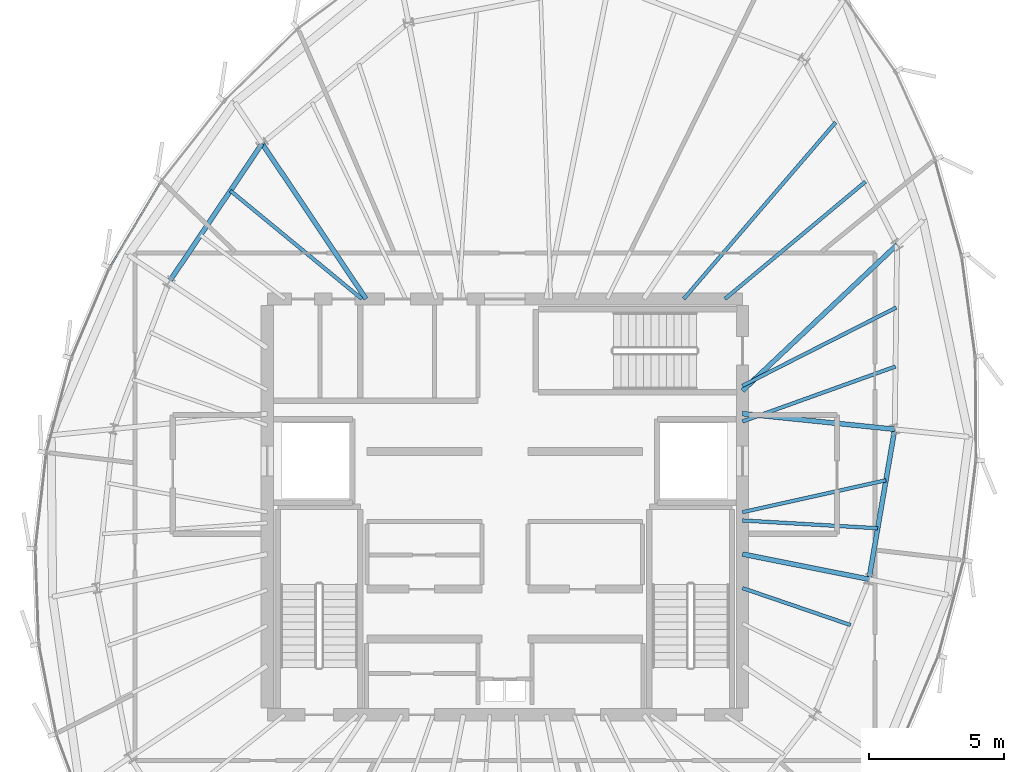
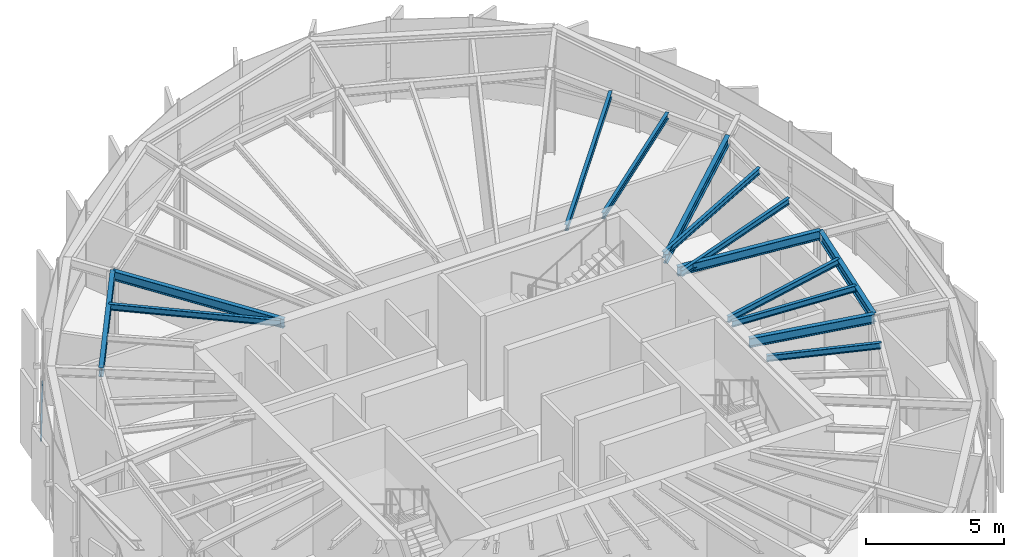
# One storey, part 11 of 26: 14 beams, 1 member, 1 element without a shape of its own.
"""IFC4 building model written with IfcOpenShell, lengths in metres."""

from ifc_helpers import new_model, si_unit, direction, frame, origin, origin_2d, place, context, subcontext, project, spatial, hollow_rectangle, i_section, extrude, source, transform, mapped, material, layer, layer_set, material_profile, profile_set, type_object, element, aggregate, save


model = new_model("IFC4")

# Units and contexts
model_context = context("Model", 3, precision=1e-05, world=origin(), true_north=direction((0.0, 1.0)))
body_context = subcontext(model_context, "Body", "Model", "MODEL_VIEW")
ifc_project = project(units=[si_unit("LENGTHUNIT", "METRE"), si_unit("AREAUNIT", "SQUARE_METRE"), si_unit("VOLUMEUNIT", "CUBIC_METRE"), si_unit("PLANEANGLEUNIT", "RADIAN"), si_unit("MASSUNIT", "GRAM", prefix="KILO"), si_unit("THERMODYNAMICTEMPERATUREUNIT", "KELVIN")], contexts=[model_context])

# Site, building, storey
site_placement = place(None, origin())
site = spatial("IfcSite", under=ifc_project, at=site_placement, CompositionType="ELEMENT")
building_placement = place(site_placement, origin())
building = spatial("IfcBuilding", under=site, at=building_placement, Name="Kethvar Cultural Tower", CompositionType="ELEMENT")
storey_placement = place(building_placement, frame((0.0, 0.0, 320.300048828125)))
storey = spatial("IfcBuildingStorey", under=building, at=storey_placement, Name="L85", CompositionType="ELEMENT", Elevation=320.300048828125)

# Beams
ifc_material_1 = material(Name="Steel S355J2", Category="steel")
ifc_material_profile_1 = material_profile(ifc_material_1, i_section(OverallWidth=0.135009765625, OverallDepth=0.27001953125, WebThickness=0.006591796875, FlangeThickness=0.01025390625, FilletRadius=0.014892578125, at=origin_2d()), Name="Steel S355J2 — IPE270")
ifc_profile_set_1 = profile_set([ifc_material_profile_1], Name="Steel S355J2 — IPE270")
beam_type_1 = type_object("IfcBeamType", Name="BM-J270", PredefinedType="JOIST", material=ifc_profile_set_1)
shared_shape_1 = source(origin(), body_context, "Body", "SweptSolid", [
    extrude(i_section(OverallWidth=0.135009765625, OverallDepth=0.27001953125, WebThickness=0.006591796875, FlangeThickness=0.01025390625, FilletRadius=0.014892578125, at=origin_2d()), origin(), (0.0, 0.0, 1.0), 6.021240234375),
])
beam_1_placement = place(storey_placement, frame((55.60009765625, 30.960205078125, 3.597900390625), z_axis=(0.94114970072, 0.337990001086, 0.0), x_axis=(-0.337990001086, 0.94114970072, 0.0)))
element("IfcBeam", 1, at=beam_1_placement, inside=storey, type_object=beam_type_1, Name="L85 Composite Floor Joist J-01A", PredefinedType="JOIST", context=body_context, shape_type="MappedRepresentation", body=[
    mapped(shared_shape_1, transform((0.0, 0.0, 0.0), scale=1.0)),
])
shared_shape_2 = source(origin(), body_context, "Body", "SweptSolid", [
    extrude(i_section(OverallWidth=0.135009765625, OverallDepth=0.27001953125, WebThickness=0.006591796875, FlangeThickness=0.01025390625, FilletRadius=0.014892578125, at=origin_2d()), origin(), (0.0, 0.0, 1.0), 6.3916015625),
])
beam_2_placement = place(storey_placement, frame((55.60009765625, 32.281494140625, 3.597900390625), z_axis=(0.891094874615, 0.453817060538, 0.0), x_axis=(-0.453817060538, 0.891094874615, 0.0)))
element("IfcBeam", 2, at=beam_2_placement, inside=storey, type_object=beam_type_1, Name="L85 Composite Floor Joist J-01B", PredefinedType="JOIST", context=body_context, shape_type="MappedRepresentation", body=[
    mapped(shared_shape_2, transform((0.0, 0.0, 0.0), scale=1.0)),
])
shared_shape_3 = source(origin(), body_context, "Body", "SweptSolid", [
    extrude(i_section(OverallWidth=0.135009765625, OverallDepth=0.27001953125, WebThickness=0.006591796875, FlangeThickness=0.01025390625, FilletRadius=0.014892578125, at=origin_2d()), origin(), (0.0, 0.0, 1.0), 6.776123046875),
])
beam_3_placement = place(storey_placement, frame((54.949951171875, 35.5, 3.597900390625), z_axis=(0.767801747857, 0.6406875026, 0.0), x_axis=(-0.6406875026, 0.767801747857, 0.0)))
element("IfcBeam", 3, at=beam_3_placement, inside=storey, type_object=beam_type_1, Name="L85 Composite Floor Joist J-02A", PredefinedType="JOIST", context=body_context, shape_type="MappedRepresentation", body=[
    mapped(shared_shape_3, transform((0.0, 0.0, 0.0), scale=1.0)),
])
shared_shape_4 = source(origin(), body_context, "Body", "SweptSolid", [
    extrude(i_section(OverallWidth=0.135009765625, OverallDepth=0.27001953125, WebThickness=0.006591796875, FlangeThickness=0.01025390625, FilletRadius=0.014892578125, at=origin_2d()), origin(), (0.0, 0.0, 1.0), 8.6259765625),
])
beam_4_placement = place(storey_placement, frame((53.42333984375, 35.5, 3.597900390625), z_axis=(0.65210499689, 0.758128665222, 0.0), x_axis=(-0.758128665222, 0.65210499689, 0.0)))
element("IfcBeam", 4, at=beam_4_placement, inside=storey, type_object=beam_type_1, Name="L85 Composite Floor Joist J-02B", PredefinedType="JOIST", context=body_context, shape_type="MappedRepresentation", body=[
    mapped(shared_shape_4, transform((0.0, 0.0, 0.0), scale=1.0)),
])
shared_shape_5 = source(origin(), body_context, "Body", "SweptSolid", [
    extrude(i_section(OverallWidth=0.135009765625, OverallDepth=0.27001953125, WebThickness=0.006591796875, FlangeThickness=0.01025390625, FilletRadius=0.014892578125, at=origin_2d()), origin(), (0.0, 0.0, 1.0), 6.302978515625),
])
beam_5_placement = place(storey_placement, frame((41.5, 35.5, 3.597900390625), z_axis=(-0.771828477148, 0.635830796567, 0.0), x_axis=(-0.635830796567, -0.771828477148, 0.0)))
element("IfcBeam", 5, at=beam_5_placement, inside=storey, type_object=beam_type_1, Name="L85 Composite Floor Joist J-06A", PredefinedType="JOIST", context=body_context, shape_type="MappedRepresentation", body=[
    mapped(shared_shape_5, transform((0.0, 0.0, 0.0), scale=1.0)),
])
shared_shape_6 = source(origin(), body_context, "Body", "SweptSolid", [
    extrude(i_section(OverallWidth=0.135009765625, OverallDepth=0.27001953125, WebThickness=0.006591796875, FlangeThickness=0.01025390625, FilletRadius=0.014892578125, at=origin_2d()), origin(), (0.0, 0.0, 1.0), 4.232421875),
])
beam_6_placement = place(storey_placement, frame((55.60009765625, 24.7900390625, 3.597900390625), z_axis=(0.946173747357, -0.323659141402, 0.0), x_axis=(0.323659141402, 0.946173747357, 0.0)))
element("IfcBeam", 6, at=beam_6_placement, inside=storey, type_object=beam_type_1, Name="L85 Composite Floor Joist J-15B", PredefinedType="JOIST", context=body_context, shape_type="MappedRepresentation", body=[
    mapped(shared_shape_6, transform((0.0, 0.0, 0.0), scale=1.0)),
])
shared_shape_7 = source(origin(), body_context, "Body", "SweptSolid", [
    extrude(i_section(OverallWidth=0.135009765625, OverallDepth=0.27001953125, WebThickness=0.006591796875, FlangeThickness=0.01025390625, FilletRadius=0.014892578125, at=origin_2d()), origin(), (0.0, 0.0, 1.0), 5.01611328125),
])
beam_7_placement = place(storey_placement, frame((55.60009765625, 27.294189453125, 3.597900390625), z_axis=(0.998352190078, -0.057383835418, 0.0), x_axis=(0.057383835418, 0.998352190078, 0.0)))
element("IfcBeam", 7, at=beam_7_placement, inside=storey, type_object=beam_type_1, Name="L85 Composite Floor Joist J-16A", PredefinedType="JOIST", context=body_context, shape_type="MappedRepresentation", body=[
    mapped(shared_shape_7, transform((0.0, 0.0, 0.0), scale=1.0)),
])
shared_shape_8 = source(origin(), body_context, "Body", "SweptSolid", [
    extrude(i_section(OverallWidth=0.135009765625, OverallDepth=0.27001953125, WebThickness=0.006591796875, FlangeThickness=0.01025390625, FilletRadius=0.014892578125, at=origin_2d()), origin(), (0.0, 0.0, 1.0), 5.44287109375),
])
beam_8_placement = place(storey_placement, frame((55.60009765625, 27.60009765625, 3.597900390625), z_axis=(0.976080346759, 0.217410111702, 0.0), x_axis=(-0.217410111702, 0.976080346759, 0.0)))
element("IfcBeam", 8, at=beam_8_placement, inside=storey, type_object=beam_type_1, Name="L85 Composite Floor Joist J-16B", PredefinedType="JOIST", context=body_context, shape_type="MappedRepresentation", body=[
    mapped(shared_shape_8, transform((0.0, 0.0, 0.0), scale=1.0)),
])
ifc_material_profile_2 = material_profile(ifc_material_1, i_section(OverallWidth=0.179931640625, OverallDepth=0.39990234375, WebThickness=0.008544921875, FlangeThickness=0.013427734375, FilletRadius=0.02099609375, at=origin_2d()), Name="Steel S355J2 — IPE400")
ifc_profile_set_2 = profile_set([ifc_material_profile_2], Name="Steel S355J2 — IPE400")
beam_type_2 = type_object("IfcBeamType", Name="BM-IPE400", PredefinedType="BEAM", material=ifc_profile_set_2)
shared_shape_9 = source(origin(), body_context, "Body", "SweptSolid", [
    extrude(i_section(OverallWidth=0.179931640625, OverallDepth=0.39990234375, WebThickness=0.008544921875, FlangeThickness=0.013427734375, FilletRadius=0.02099609375, at=origin_2d()), origin(), (0.0, 0.0, 1.0), 5.66650390625),
])
beam_9_placement = place(storey_placement, frame((55.60009765625, 31.25, 3.532958984375), z_axis=(0.994777513459, -0.102067128476, 0.0), x_axis=(0.102067128476, 0.994777513459, 0.0)))
element("IfcBeam", 9, at=beam_9_placement, inside=storey, type_object=beam_type_2, Name="L85 Primary Radial Beam RB-01", PredefinedType="BEAM", context=body_context, shape_type="MappedRepresentation", body=[
    mapped(shared_shape_9, transform((0.0, 0.0, 0.0), scale=1.0)),
])
shared_shape_10 = source(origin(), body_context, "Body", "SweptSolid", [
    extrude(i_section(OverallWidth=0.179931640625, OverallDepth=0.39990234375, WebThickness=0.008544921875, FlangeThickness=0.013427734375, FilletRadius=0.02099609375, at=origin_2d()), origin(), (0.0, 0.0, 1.0), 7.874267578125),
])
beam_10_placement = place(storey_placement, frame((55.60009765625, 32.10009765625, 3.532958984375), z_axis=(0.727123202456, 0.686506990823, 0.0), x_axis=(-0.686506990823, 0.727123202456, 0.0)))
element("IfcBeam", 10, at=beam_10_placement, inside=storey, type_object=beam_type_2, Name="L85 Primary Radial Beam RB-02", PredefinedType="BEAM", context=body_context, shape_type="MappedRepresentation", body=[
    mapped(shared_shape_10, transform((0.0, 0.0, 0.0), scale=1.0)),
])
shared_shape_11 = source(origin(), body_context, "Body", "SweptSolid", [
    extrude(i_section(OverallWidth=0.179931640625, OverallDepth=0.39990234375, WebThickness=0.008544921875, FlangeThickness=0.013427734375, FilletRadius=0.02099609375, at=origin_2d()), origin(), (0.0, 0.0, 1.0), 6.921630859375),
])
beam_11_placement = place(storey_placement, frame((41.655029296875, 35.5, 3.532958984375), z_axis=(-0.555570841874, 0.831469205479, 0.0), x_axis=(-0.831469205479, -0.555570841874, 0.0)))
element("IfcBeam", 11, at=beam_11_placement, inside=storey, type_object=beam_type_2, Name="L85 Primary Radial Beam RB-06", PredefinedType="BEAM", context=body_context, shape_type="MappedRepresentation", body=[
    mapped(shared_shape_11, transform((0.0, 0.0, 0.0), scale=1.0)),
])
shared_shape_12 = source(origin(), body_context, "Body", "SweptSolid", [
    extrude(i_section(OverallWidth=0.179931640625, OverallDepth=0.39990234375, WebThickness=0.008544921875, FlangeThickness=0.013427734375, FilletRadius=0.02099609375, at=origin_2d()), origin(), (0.0, 0.0, 1.0), 4.775390625),
])
beam_12_placement = place(storey_placement, frame((55.60009765625, 26.049560546875, 3.532958984375), z_axis=(0.980784643133, -0.195093525761, 0.0), x_axis=(0.195093525761, 0.980784643133, 0.0)))
element("IfcBeam", 12, at=beam_12_placement, inside=storey, type_object=beam_type_2, Name="L85 Primary Radial Beam RB-16", PredefinedType="BEAM", context=body_context, shape_type="MappedRepresentation", body=[
    mapped(shared_shape_12, transform((0.0, 0.0, 0.0), scale=1.0)),
])
shared_shape_13 = source(origin(), body_context, "Body", "SweptSolid", [
    extrude(i_section(OverallWidth=0.179931640625, OverallDepth=0.39990234375, WebThickness=0.008544921875, FlangeThickness=0.013427734375, FilletRadius=0.02099609375, at=origin_2d()), origin(), (0.0, 0.0, 1.0), 6.192626953125),
])
beam_13_placement = place(storey_placement, frame((37.8095703125, 41.255126953125, 3.532958984375), z_axis=(-0.557698912025, -0.830043326295, 0.0), x_axis=(0.830043326295, -0.557698912025, 0.0)))
element("IfcBeam", 13, at=beam_13_placement, inside=storey, type_object=beam_type_2, Name="L85 Column Ring Tie Beam CR-06", PredefinedType="BEAM", context=body_context, shape_type="MappedRepresentation", body=[
    mapped(shared_shape_13, transform((0.0, 0.0, 0.0), scale=1.0)),
])
shared_shape_14 = source(origin(), body_context, "Body", "SweptSolid", [
    extrude(i_section(OverallWidth=0.179931640625, OverallDepth=0.39990234375, WebThickness=0.008544921875, FlangeThickness=0.013427734375, FilletRadius=0.02099609375, at=origin_2d()), origin(), (0.0, 0.0, 1.0), 5.635009765625),
])
beam_14_placement = place(storey_placement, frame((60.28369140625, 25.117919921875, 3.532958984375), z_axis=(0.169188687614, 0.985583678834, 0.0), x_axis=(-0.985583678834, 0.169188687614, 0.0)))
element("IfcBeam", 14, at=beam_14_placement, inside=storey, type_object=beam_type_2, Name="L85 Column Ring Tie Beam CR-16", PredefinedType="BEAM", context=body_context, shape_type="MappedRepresentation", body=[
    mapped(shared_shape_14, transform((0.0, 0.0, 0.0), scale=1.0)),
])

# Curtain wall, member
ifc_material_2 = material(Name="Aluminium 6063-T6", Category="aluminium")
ifc_layer = layer(ifc_material_2, 0.179931640625, Name="Aluminium 6063-T6", Category="aluminium")
ifc_layer_set = layer_set([ifc_layer], Name="Aluminium 6063-T6 (180 mm)")
curtain_wall_type = type_object("IfcCurtainWallType", Name="CW-SYS-06-CROWN", PredefinedType="NOTDEFINED", material=ifc_layer_set)
curtain_wall_placement = place(storey_placement, origin())
curtain_wall = element("IfcCurtainWall", 15, at=curtain_wall_placement, inside=storey, type_object=curtain_wall_type, Name="L85 Curtain Wall Run 02", PredefinedType="NOTDEFINED")
ifc_material_profile_3 = material_profile(ifc_material_2, hollow_rectangle(XDim=0.06005859375, YDim=0.139892578125, WallThickness=0.0048828125, at=origin_2d()), Name="Aluminium 6063-T6 — RHS140x60x5")
ifc_profile_set_3 = profile_set([ifc_material_profile_3], Name="Aluminium 6063-T6 — RHS140x60x5")
member_type = type_object("IfcMemberType", Name="CW-SYS-06-CROWN-TRN", PredefinedType="USERDEFINED", material=ifc_profile_set_3)
shared_shape_15 = source(origin(), body_context, "Body", "SweptSolid", [
    extrude(hollow_rectangle(XDim=0.06005859375, YDim=0.139892578125, WallThickness=0.0048828125, at=origin_2d()), origin(), (0.0, 0.0, 1.0), 3.654296875),
])
member_placement = place(storey_placement, frame((34.05322265625, 39.8310546875, 0.949951171875), z_axis=(-0.51169291403, -0.859168412904, 0.0), x_axis=(0.859168412904, -0.51169291403, 0.0)))
member = element("IfcMember", 16, at=member_placement, type_object=member_type, Name="CW-L85-R02 Transom 2", ObjectType="TRANSOM", PredefinedType="USERDEFINED", context=body_context, shape_type="MappedRepresentation", body=[
    mapped(shared_shape_15, transform((0.0, 0.0, 0.0), scale=1.0)),
])
aggregate(curtain_wall, [member])

save(model, "model.ifc")
